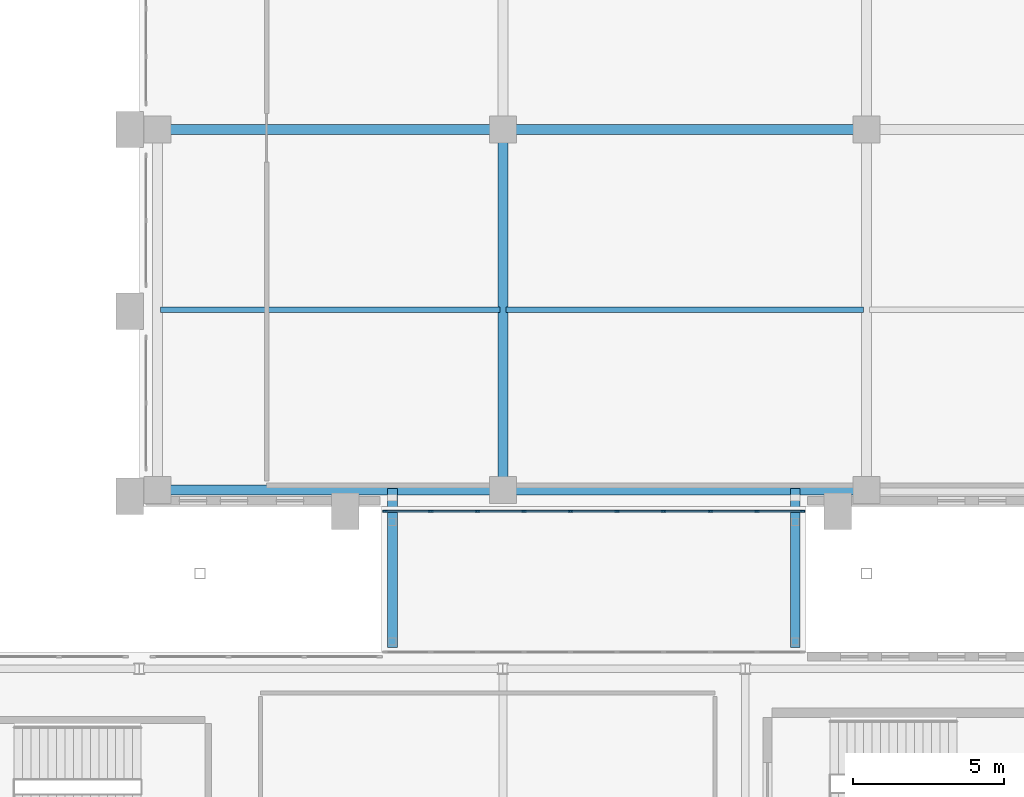
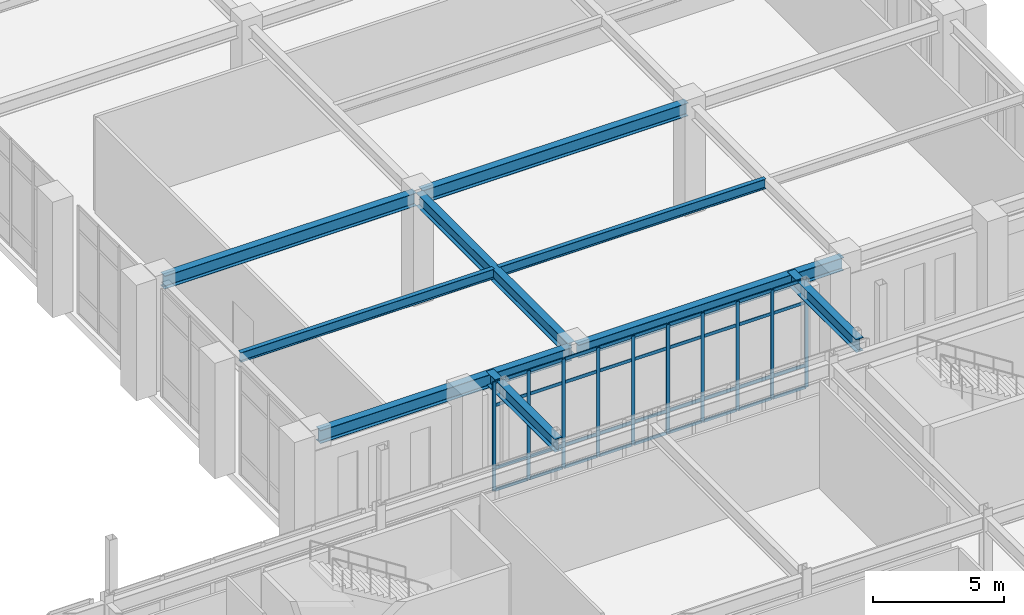
# One storey, part 78 of 159: 46 members, 9 beams, 1 element without a shape of its own.
"""IFC4 building model written with IfcOpenShell, lengths in metres."""

import ifcopenshell
import ifcopenshell.guid

model = None  # the IFC model being written
_history = None  # IfcOwnerHistory: only IFC2X3 demands one
_inside = {}  # id of a spatial element -> (the spatial element, [elements in it])
_under = {}  # id of a project, library or spatial element -> (it, [spatial elements below it])
_declared = {}  # id of a project -> (the project, [libraries it declares])
_typed = {}  # id of a type object -> (the type object, [elements of that type])
_made_of = {}  # id of a material, layer set ... -> (it, [elements and type objects made of it])


def new_model(schema):
    """Start an empty IFC model of exactly this schema.

    Asked for "IFC4X3", IfcOpenShell would pick the latest addendum, in which some entities
    have other attributes; the version numbers below select the first issue.
    IFC2X3 requires an IfcOwnerHistory on every rooted entity: one is made here for all.
    """
    global model, _history
    if schema == "IFC4X3":
        model = ifcopenshell.file(schema_version=(4, 3, 0, 0))
    else:
        model = ifcopenshell.file(schema=schema)
    _inside.clear()
    _under.clear()
    _declared.clear()
    _typed.clear()
    _made_of.clear()
    _history = None
    if model.schema == "IFC2X3":
        org = make("IfcOrganization", Name="unknown")
        user = make(
            "IfcPersonAndOrganization",
            ThePerson=make("IfcPerson", FamilyName="unknown"),
            TheOrganization=org,
        )
        app = make(
            "IfcApplication",
            ApplicationDeveloper=org,
            Version="unknown",
            ApplicationFullName="unknown",
            ApplicationIdentifier="unknown",
        )
        _history = make(
            "IfcOwnerHistory",
            OwningUser=user,
            OwningApplication=app,
            ChangeAction="ADDED",
            CreationDate=0,
        )
    return model


def make(cls, **values):
    """One entity of the class cls with the attributes given. An attribute that is None is left unset."""
    return model.create_entity(
        cls, **{name: value for name, value in values.items() if value is not None}
    )


def rooted(cls, **values):
    """An entity with a GlobalId (a new one), such as an element, a storey or a relation."""
    return make(cls, GlobalId=ifcopenshell.guid.new(), OwnerHistory=_history, **values)


def si_unit(unit_type, name, prefix=None):
    """IfcSIUnit, for example si_unit("LENGTHUNIT", "METRE", prefix="MILLI")."""
    return make("IfcSIUnit", UnitType=unit_type, Prefix=prefix, Name=name)


def derived_unit(unit_type, elements):
    """IfcDerivedUnit: a product of units, each with its exponent."""
    return make(
        "IfcDerivedUnit",
        Elements=[
            make("IfcDerivedUnitElement", Unit=unit, Exponent=power)
            for unit, power in elements
        ],
        UnitType=unit_type,
    )


def assignment(units):
    """IfcUnitAssignment: the units of a project."""
    return None if units is None else make("IfcUnitAssignment", Units=units)


def point(xyz):
    """IfcCartesianPoint."""
    return None if xyz is None else make("IfcCartesianPoint", Coordinates=xyz)


def direction(xyz):
    """IfcDirection."""
    return None if xyz is None else make("IfcDirection", DirectionRatios=xyz)


def frame(location, z_axis=None, x_axis=None):
    """IfcAxis2Placement3D, a coordinate frame: its origin and axes. An axis left out is left unset."""
    return make(
        "IfcAxis2Placement3D",
        Location=point(location),
        Axis=direction(z_axis),
        RefDirection=direction(x_axis),
    )


def frame_2d(location, x_axis=None):
    """IfcAxis2Placement2D, a coordinate frame in the plane: its origin and x axis."""
    return make(
        "IfcAxis2Placement2D", Location=point(location), RefDirection=direction(x_axis)
    )


def origin():
    """The frame at (0, 0, 0) with its axes left unset."""
    return frame((0.0, 0.0, 0.0))


def origin_2d():
    """The frame at (0, 0) in the plane with its x axis left unset."""
    return frame_2d((0.0, 0.0))


def place(relative_to, where):
    """IfcLocalPlacement: puts the frame where relative to a parent placement (None: the world)."""
    return make(
        "IfcLocalPlacement", PlacementRelTo=relative_to, RelativePlacement=where
    )


def context(
    kind, dimensions, precision=None, world=None, true_north=None, identifier=None
):
    """IfcGeometricRepresentationContext, for example the 3D "Model" context."""
    return make(
        "IfcGeometricRepresentationContext",
        ContextIdentifier=identifier,
        ContextType=kind,
        CoordinateSpaceDimension=dimensions,
        Precision=precision,
        WorldCoordinateSystem=world,
        TrueNorth=true_north,
    )


def subcontext(parent, identifier, kind, view, scale=None):
    """IfcGeometricRepresentationSubContext, for example "Body" below "Model"."""
    return make(
        "IfcGeometricRepresentationSubContext",
        ContextIdentifier=identifier,
        ContextType=kind,
        ParentContext=parent,
        TargetScale=scale,
        TargetView=view,
    )


def project(units=None, contexts=None):
    """IfcProject with its units and contexts."""
    return rooted(
        "IfcProject",
        Name="project",
        RepresentationContexts=contexts,
        UnitsInContext=assignment(units),
    )


def spatial(cls, under=None, at=None, **own):
    """A site, building, storey or space (cls), placed at a placement, below another one or the project."""
    s = rooted(cls, ObjectPlacement=at, **own)
    if under is not None:
        _under.setdefault(under.id(), (under, []))[1].append(s)
    return s


def profile(cls, at=None, kind="AREA", **sizes):
    """A parametric profile (cls). Its sizes go by their IFC names, for example OverallWidth=200.0."""
    return make(cls, ProfileType=kind, Position=at, **sizes)


def rectangle(**sizes):
    """IfcRectangleProfileDef."""
    return profile("IfcRectangleProfileDef", **sizes)


def i_section(**sizes):
    """IfcIShapeProfileDef."""
    return profile("IfcIShapeProfileDef", **sizes)


def extrude(swept, where, along, depth):
    """IfcExtrudedAreaSolid: the profile swept, set in the frame where, extruded along a direction by depth."""
    return make(
        "IfcExtrudedAreaSolid",
        SweptArea=swept,
        Position=where,
        ExtrudedDirection=direction(along),
        Depth=depth,
    )


def shape(context_of_items, identifier, shape_type, items):
    """IfcShapeRepresentation: the items that make up one representation, for example the "Body"."""
    return make(
        "IfcShapeRepresentation",
        ContextOfItems=context_of_items,
        RepresentationIdentifier=identifier,
        RepresentationType=shape_type,
        Items=items,
    )


def material(Name=None, Category=None):
    """IfcMaterial."""
    return make("IfcMaterial", Name=Name, Category=Category)


def layer(
    of_material, thickness, ventilated=None, Name=None, Category=None, Priority=None
):
    """IfcMaterialLayer: one layer of a wall or slab, of a material (None: an air gap)."""
    return make(
        "IfcMaterialLayer",
        Material=of_material,
        LayerThickness=thickness,
        IsVentilated=ventilated,
        Name=Name,
        Category=Category,
        Priority=Priority,
    )


def layer_set(layers, Name=None):
    """IfcMaterialLayerSet."""
    return make("IfcMaterialLayerSet", MaterialLayers=layers, LayerSetName=Name)


def material_profile(
    of_material, cross_section, Name=None, Category=None, Priority=None
):
    """IfcMaterialProfile: a cross section and its material."""
    return make(
        "IfcMaterialProfile",
        Name=Name,
        Material=of_material,
        Profile=cross_section,
        Priority=Priority,
        Category=Category,
    )


def profile_set(profiles, Name=None, composite=None):
    """IfcMaterialProfileSet."""
    return make(
        "IfcMaterialProfileSet",
        Name=Name,
        MaterialProfiles=profiles,
        CompositeProfile=composite,
    )


def made_of(thing, what):
    """Note that an element or type object is made of a material, layer set ...; save() writes the relation."""
    if what is not None:
        _made_of.setdefault(what.id(), (what, []))[1].append(thing)
    return thing


def type_object(cls, material=None, **own):
    """A type object (cls), such as IfcWallType, which elements share."""
    return made_of(rooted(cls, **own), material)


def element(
    cls,
    number,
    at=None,
    inside=None,
    cuts=None,
    type_object=None,
    material=None,
    context=None,
    identifier="Body",
    shape_type=None,
    held_by="IfcProductDefinitionShape",
    body=None,
    shapes=None,
    **own,
):
    """One element of the class cls, such as IfcWall. Its Tag is "e" and its number.

    at: its placement. inside: the storey or other place that contains it. cuts: it is an
    opening in that element (IfcRelVoidsElement). A single representation is given by context,
    identifier, shape_type and body (its items); several are given by shapes. held_by: the class
    of the entity that holds the representations. save() writes the other relations.
    """
    e = rooted(cls, Tag="e%d" % number, ObjectPlacement=at, **own)
    if body is not None:
        shapes = [shape(context, identifier, shape_type, body)]
    if shapes is not None:
        e.Representation = make(held_by, Representations=shapes)
    if inside is not None:
        _inside.setdefault(inside.id(), (inside, []))[1].append(e)
    if cuts is not None:
        rooted(
            "IfcRelVoidsElement", RelatingBuildingElement=cuts, RelatedOpeningElement=e
        )
    if type_object is not None:
        _typed.setdefault(type_object.id(), (type_object, []))[1].append(e)
    return made_of(e, material)


def aggregate(whole, parts):
    """IfcRelAggregates: a whole, such as a stair, and the parts it consists of."""
    return rooted("IfcRelAggregates", RelatingObject=whole, RelatedObjects=parts)


def save(model, path):
    """Write the relations noted so far, then the file.

    IfcRelAggregates (storeys below a building ...), IfcRelContainedInSpatialStructure (elements
    in a storey), IfcRelDefinesByType, IfcRelAssociatesMaterial and IfcRelDeclares: one each for
    every whole, place, type object, material and project.
    """
    for whole, parts in _under.values():
        aggregate(whole, parts)
    for where, things in _inside.values():
        rooted(
            "IfcRelContainedInSpatialStructure",
            RelatedElements=things,
            RelatingStructure=where,
        )
    for kind, things in _typed.values():
        rooted("IfcRelDefinesByType", RelatedObjects=things, RelatingType=kind)
    for what, things in _made_of.values():
        rooted("IfcRelAssociatesMaterial", RelatedObjects=things, RelatingMaterial=what)
    for by, libraries in _declared.values():
        rooted("IfcRelDeclares", RelatingContext=by, RelatedDefinitions=libraries)
    model.write(path)


model = new_model("IFC4")

# Units and contexts
model_context = context("Model", 3, precision=1e-05, world=origin(), true_north=direction((0.0, 1.0)))
body_context = subcontext(model_context, "Body", "Model", "MODEL_VIEW")
ifc_project = project(units=[si_unit("LENGTHUNIT", "METRE"), si_unit("AREAUNIT", "SQUARE_METRE"), si_unit("VOLUMEUNIT", "CUBIC_METRE"), si_unit("PLANEANGLEUNIT", "RADIAN"), si_unit("MASSUNIT", "GRAM", prefix="KILO"), derived_unit("THERMALTRANSMITTANCEUNIT", [(si_unit("MASSUNIT", "GRAM", prefix="KILO"), 1), (si_unit("TIMEUNIT", "SECOND"), -3), (si_unit("THERMODYNAMICTEMPERATUREUNIT", "KELVIN"), -1)])], contexts=[model_context])

# Site, building, storey
site_placement = place(None, origin())
site = spatial("IfcSite", under=ifc_project, at=site_placement, CompositionType="ELEMENT")
building_placement = place(site_placement, origin())
building = spatial("IfcBuilding", under=site, at=building_placement, Name="Valcora Ridge Arena", CompositionType="ELEMENT")
storey_placement = place(building_placement, frame((0.0, 0.0, 6.0)))
storey = spatial("IfcBuildingStorey", under=building, at=storey_placement, Name="L01", CompositionType="ELEMENT", Elevation=6.0)

# Beams
ifc_material_1 = material(Name="Steel ASTM A572 Grade 50", Category="steel")
ifc_material_profile_1 = material_profile(ifc_material_1, i_section(OverallWidth=0.324951171875, OverallDepth=0.612060546875, WebThickness=0.0126953125, FlangeThickness=0.01904296875, FilletRadius=0.01806640625, at=origin_2d()), Name="W24X104")
ifc_profile_set_1 = profile_set([ifc_material_profile_1], Name="Steel ASTM A572 Grade 50")
beam_type_1 = type_object("IfcBeamType", Name="TY-BEAM-B-SJ1", PredefinedType="BEAM", material=ifc_profile_set_1)
for number, where, z_axis, x_axis, name in (
    (1, (164.35009765625, 78.5, 4.77392578125), (0.0, 1.0, 0.0), (-1.0, 0.0, 0.0), "B-SJ1 BEM-SJ-B-SJ1-0007"),
    (2, (177.64990234375, 78.5, 4.77392578125), (0.0, 1.0, 0.0), (-1.0, 0.0, 0.0), "B-SJ1 BEM-SJ-B-SJ1-0008"),
):
    element("IfcBeam", number, at=place(storey_placement, frame(where, z_axis=z_axis, x_axis=x_axis)), inside=storey, type_object=beam_type_1, Name=name, PredefinedType="BEAM", context=body_context, shape_type="SweptSolid", body=[
        extrude(i_section(OverallWidth=0.324951171875, OverallDepth=0.612060546875, WebThickness=0.0126953125, FlangeThickness=0.01904296875, FilletRadius=0.01806640625, at=origin_2d()), origin(), (0.0, 0.0, 1.0), 5.25),
    ])
ifc_material_profile_2 = material_profile(ifc_material_1, i_section(OverallWidth=0.324951171875, OverallDepth=0.612060546875, WebThickness=0.0126953125, FlangeThickness=0.01904296875, FilletRadius=0.01806640625, at=origin_2d()), Name="W24X104")
ifc_profile_set_2 = profile_set([ifc_material_profile_2], Name="Steel ASTM A572 Grade 50")
beam_type_2 = type_object("IfcBeamType", Name="TY-BEAM-G-W24X104-X", PredefinedType="BEAM", material=ifc_profile_set_2)
beam_1_placement = place(storey_placement, frame((156.739990234375, 95.60009765625, 4.73388671875), z_axis=(1.0, 0.0, 0.0), x_axis=(0.0, 1.0, 0.0)))
element("IfcBeam", 3, at=beam_1_placement, inside=storey, type_object=beam_type_2, Name="G-W24X104-X BEM-G-W24X104-X-0032", PredefinedType="BEAM", context=body_context, shape_type="SweptSolid", body=[
    extrude(i_section(OverallWidth=0.324951171875, OverallDepth=0.612060546875, WebThickness=0.0126953125, FlangeThickness=0.01904296875, FilletRadius=0.01806640625, at=origin_2d()), origin(), (0.0, 0.0, 1.0), 11.1201171875),
])
beam_2_placement = place(storey_placement, frame((168.139892578125, 95.60009765625, 4.73388671875), z_axis=(1.0, 0.0, 0.0), x_axis=(0.0, 1.0, 0.0)))
element("IfcBeam", 4, at=beam_2_placement, inside=storey, type_object=beam_type_2, Name="G-W24X104-X BEM-G-W24X104-X-0033", PredefinedType="BEAM", context=body_context, shape_type="SweptSolid", body=[
    extrude(i_section(OverallWidth=0.324951171875, OverallDepth=0.612060546875, WebThickness=0.0126953125, FlangeThickness=0.01904296875, FilletRadius=0.01806640625, at=origin_2d()), origin(), (0.0, 0.0, 1.0), 11.72021484375),
])
ifc_material_profile_3 = material_profile(ifc_material_1, i_section(OverallWidth=0.324951171875, OverallDepth=0.612060546875, WebThickness=0.0126953125, FlangeThickness=0.01904296875, FilletRadius=0.01806640625, at=origin_2d()), Name="W24X104")
ifc_profile_set_3 = profile_set([ifc_material_profile_3], Name="Steel ASTM A572 Grade 50")
beam_type_3 = type_object("IfcBeamType", Name="TY-BEAM-G-W24X104-Y", PredefinedType="BEAM", material=ifc_profile_set_3)
beam_3_placement = place(storey_placement, frame((168.0, 83.840087890625, 4.73388671875), z_axis=(0.0, 1.0, 0.0), x_axis=(-1.0, 0.0, 0.0)))
element("IfcBeam", 5, at=beam_3_placement, inside=storey, type_object=beam_type_3, Name="G-W24X104-Y BEM-G-W24X104-Y-0061", PredefinedType="BEAM", context=body_context, shape_type="SweptSolid", body=[
    extrude(i_section(OverallWidth=0.324951171875, OverallDepth=0.612060546875, WebThickness=0.0126953125, FlangeThickness=0.01904296875, FilletRadius=0.01806640625, at=origin_2d()), origin(), (0.0, 0.0, 1.0), 11.619873046875),
])
ifc_material_profile_4 = material_profile(ifc_material_1, i_section(OverallWidth=0.18994140625, OverallDepth=0.45703125, WebThickness=0.009033203125, FlangeThickness=0.014404296875, FilletRadius=0.014892578125, at=origin_2d()), Name="W18X50")
ifc_profile_set_4 = profile_set([ifc_material_profile_4], Name="Steel ASTM A572 Grade 50")
beam_type_4 = type_object("IfcBeamType", Name="TY-BEAM-J-W18X50", PredefinedType="JOIST", material=ifc_profile_set_4)
beam_4_placement = place(storey_placement, frame((156.699951171875, 89.64990234375, 4.8115234375), z_axis=(1.0, 0.0, 0.0), x_axis=(0.0, 1.0, 0.0)))
element("IfcBeam", 6, at=beam_4_placement, inside=storey, type_object=beam_type_4, Name="J-W18X50 BEM-J-W18X50-0044", PredefinedType="JOIST", context=body_context, shape_type="SweptSolid", body=[
    extrude(i_section(OverallWidth=0.18994140625, OverallDepth=0.45703125, WebThickness=0.009033203125, FlangeThickness=0.014404296875, FilletRadius=0.014892578125, at=origin_2d()), origin(), (0.0, 0.0, 1.0), 11.199951171875),
])
beam_5_placement = place(storey_placement, frame((168.10009765625, 89.64990234375, 4.8115234375), z_axis=(1.0, 0.0, 0.0), x_axis=(0.0, 1.0, 0.0)))
element("IfcBeam", 7, at=beam_5_placement, inside=storey, type_object=beam_type_4, Name="J-W18X50 BEM-J-W18X50-0045", PredefinedType="JOIST", context=body_context, shape_type="SweptSolid", body=[
    extrude(i_section(OverallWidth=0.18994140625, OverallDepth=0.45703125, WebThickness=0.009033203125, FlangeThickness=0.014404296875, FilletRadius=0.014892578125, at=origin_2d()), origin(), (0.0, 0.0, 1.0), 11.7998046875),
])
ifc_material_profile_5 = material_profile(ifc_material_1, i_section(OverallWidth=0.324951171875, OverallDepth=0.612060546875, WebThickness=0.0126953125, FlangeThickness=0.01904296875, FilletRadius=0.01806640625, at=origin_2d()), Name="W24X104")
ifc_profile_set_5 = profile_set([ifc_material_profile_5], Name="Steel ASTM A572 Grade 50")
beam_type_5 = type_object("IfcBeamType", Name="TY-BEAM-SP-W24X104", PredefinedType="SPANDREL", material=ifc_profile_set_5)
beam_6_placement = place(storey_placement, frame((156.739990234375, 83.699951171875, 4.73388671875), z_axis=(1.0, 0.0, 0.0), x_axis=(0.0, 1.0, 0.0)))
element("IfcBeam", 8, at=beam_6_placement, inside=storey, type_object=beam_type_5, Name="SP-W24X104 BEM-SP-W24X104-0018", PredefinedType="SPANDREL", context=body_context, shape_type="SweptSolid", body=[
    extrude(i_section(OverallWidth=0.324951171875, OverallDepth=0.612060546875, WebThickness=0.0126953125, FlangeThickness=0.01904296875, FilletRadius=0.01806640625, at=origin_2d()), origin(), (0.0, 0.0, 1.0), 11.1201171875),
])
beam_7_placement = place(storey_placement, frame((168.139892578125, 83.699951171875, 4.73388671875), z_axis=(1.0, 0.0, 0.0), x_axis=(0.0, 1.0, 0.0)))
element("IfcBeam", 9, at=beam_7_placement, inside=storey, type_object=beam_type_5, Name="SP-W24X104 BEM-SP-W24X104-0019", PredefinedType="SPANDREL", context=body_context, shape_type="SweptSolid", body=[
    extrude(i_section(OverallWidth=0.324951171875, OverallDepth=0.612060546875, WebThickness=0.0126953125, FlangeThickness=0.01904296875, FilletRadius=0.01806640625, at=origin_2d()), origin(), (0.0, 0.0, 1.0), 11.72021484375),
])

# Curtain wall, members
ifc_material_2 = material(Name="Anodised dark bronze architectural aluminium 6063-T6", Category="aluminium")
ifc_layer = layer(ifc_material_2, 0.14990234375, Name="Anodised dark bronze architectural aluminium 6063-T6")
ifc_layer_set = layer_set([ifc_layer], Name="Anodised dark bronze architectural aluminium 6063-T6")
curtain_wall_type = type_object("IfcCurtainWallType", Name="TY-CURTAINWALL-CW-BRG-138X51", PredefinedType="NOTDEFINED", material=ifc_layer_set)
curtain_wall_placement = place(storey_placement, origin())
curtain_wall = element("IfcCurtainWall", 10, at=curtain_wall_placement, inside=storey, type_object=curtain_wall_type, Name="CW-BRG-138X51 CW-0357", PredefinedType="NOTDEFINED")
ifc_material_profile_6 = material_profile(ifc_material_2, rectangle(XDim=0.050048828125, YDim=0.14990234375, at=origin_2d()), Name="ALU MULLION 50x150")
ifc_profile_set_6 = profile_set([ifc_material_profile_6], Name="Anodised dark bronze architectural aluminium 6063-T6")
member_type_1 = type_object("IfcMemberType", Name="TY-MEM-CWM-50x150", PredefinedType="MULLION", material=ifc_profile_set_6)
member_1_placement = place(storey_placement, frame((164.10498046875, 83.0, 0.0), z_axis=(0.0, 0.0, 1.0), x_axis=(0.0, 1.0, 0.0)))
member_1 = element("IfcMember", 11, at=member_1_placement, type_object=member_type_1, Name="CW-0357/CWM-50x150/M00", PredefinedType="MULLION", context=body_context, shape_type="SweptSolid", body=[
    extrude(rectangle(XDim=0.050048828125, YDim=0.14990234375, at=origin_2d()), origin(), (0.0, 0.0, 1.0), 5.080078125),
])
member_2_placement = place(storey_placement, frame((165.617919921875, 83.0, 0.0), z_axis=(0.0, 0.0, 1.0), x_axis=(0.0, 1.0, 0.0)))
member_2 = element("IfcMember", 12, at=member_2_placement, type_object=member_type_1, Name="CW-0357/CWM-50x150/M01", PredefinedType="MULLION", context=body_context, shape_type="SweptSolid", body=[
    extrude(rectangle(XDim=0.050048828125, YDim=0.14990234375, at=origin_2d()), origin(), (0.0, 0.0, 1.0), 5.080078125),
])
member_3_placement = place(storey_placement, frame((167.155517578125, 83.0, 0.0), z_axis=(0.0, 0.0, 1.0), x_axis=(0.0, 1.0, 0.0)))
member_3 = element("IfcMember", 13, at=member_3_placement, type_object=member_type_1, Name="CW-0357/CWM-50x150/M02", PredefinedType="MULLION", context=body_context, shape_type="SweptSolid", body=[
    extrude(rectangle(XDim=0.050048828125, YDim=0.14990234375, at=origin_2d()), origin(), (0.0, 0.0, 1.0), 5.080078125),
])
member_4_placement = place(storey_placement, frame((168.693359375, 83.0, 0.0), z_axis=(0.0, 0.0, 1.0), x_axis=(0.0, 1.0, 0.0)))
member_4 = element("IfcMember", 14, at=member_4_placement, type_object=member_type_1, Name="CW-0357/CWM-50x150/M03", PredefinedType="MULLION", context=body_context, shape_type="SweptSolid", body=[
    extrude(rectangle(XDim=0.050048828125, YDim=0.14990234375, at=origin_2d()), origin(), (0.0, 0.0, 1.0), 5.080078125),
])
member_5_placement = place(storey_placement, frame((170.231201171875, 83.0, 0.0), z_axis=(0.0, 0.0, 1.0), x_axis=(0.0, 1.0, 0.0)))
member_5 = element("IfcMember", 15, at=member_5_placement, type_object=member_type_1, Name="CW-0357/CWM-50x150/M04", PredefinedType="MULLION", context=body_context, shape_type="SweptSolid", body=[
    extrude(rectangle(XDim=0.050048828125, YDim=0.14990234375, at=origin_2d()), origin(), (0.0, 0.0, 1.0), 5.080078125),
])
member_6_placement = place(storey_placement, frame((171.768798828125, 83.0, 0.0), z_axis=(0.0, 0.0, 1.0), x_axis=(0.0, 1.0, 0.0)))
member_6 = element("IfcMember", 16, at=member_6_placement, type_object=member_type_1, Name="CW-0357/CWM-50x150/M05", PredefinedType="MULLION", context=body_context, shape_type="SweptSolid", body=[
    extrude(rectangle(XDim=0.050048828125, YDim=0.14990234375, at=origin_2d()), origin(), (0.0, 0.0, 1.0), 5.080078125),
])
member_7_placement = place(storey_placement, frame((173.306640625, 83.0, 0.0), z_axis=(0.0, 0.0, 1.0), x_axis=(0.0, 1.0, 0.0)))
member_7 = element("IfcMember", 17, at=member_7_placement, type_object=member_type_1, Name="CW-0357/CWM-50x150/M06", PredefinedType="MULLION", context=body_context, shape_type="SweptSolid", body=[
    extrude(rectangle(XDim=0.050048828125, YDim=0.14990234375, at=origin_2d()), origin(), (0.0, 0.0, 1.0), 5.080078125),
])
member_8_placement = place(storey_placement, frame((174.844482421875, 83.0, 0.0), z_axis=(0.0, 0.0, 1.0), x_axis=(0.0, 1.0, 0.0)))
member_8 = element("IfcMember", 18, at=member_8_placement, type_object=member_type_1, Name="CW-0357/CWM-50x150/M07", PredefinedType="MULLION", context=body_context, shape_type="SweptSolid", body=[
    extrude(rectangle(XDim=0.050048828125, YDim=0.14990234375, at=origin_2d()), origin(), (0.0, 0.0, 1.0), 5.080078125),
])
member_9_placement = place(storey_placement, frame((176.382080078125, 83.0, 0.0), z_axis=(0.0, 0.0, 1.0), x_axis=(0.0, 1.0, 0.0)))
member_9 = element("IfcMember", 19, at=member_9_placement, type_object=member_type_1, Name="CW-0357/CWM-50x150/M08", PredefinedType="MULLION", context=body_context, shape_type="SweptSolid", body=[
    extrude(rectangle(XDim=0.050048828125, YDim=0.14990234375, at=origin_2d()), origin(), (0.0, 0.0, 1.0), 5.080078125),
])
member_10_placement = place(storey_placement, frame((177.89501953125, 83.0, 0.0), z_axis=(0.0, 0.0, 1.0), x_axis=(0.0, 1.0, 0.0)))
member_10 = element("IfcMember", 20, at=member_10_placement, type_object=member_type_1, Name="CW-0357/CWM-50x150/M09", PredefinedType="MULLION", context=body_context, shape_type="SweptSolid", body=[
    extrude(rectangle(XDim=0.050048828125, YDim=0.14990234375, at=origin_2d()), origin(), (0.0, 0.0, 1.0), 5.080078125),
])
ifc_material_profile_7 = material_profile(ifc_material_2, rectangle(XDim=0.050048828125, YDim=0.14990234375, at=origin_2d()), Name="ALU TRANSOM 50x150")
ifc_profile_set_7 = profile_set([ifc_material_profile_7], Name="Anodised dark bronze architectural aluminium 6063-T6")
member_type_2 = type_object("IfcMemberType", Name="TY-MEM-CWT-50x150", PredefinedType="USERDEFINED", material=ifc_profile_set_7)
member_11_placement = place(storey_placement, frame((164.1298828125, 83.0, 0.02490234375), z_axis=(1.0, 0.0, 0.0), x_axis=(0.0, 1.0, 0.0)))
member_11 = element("IfcMember", 21, at=member_11_placement, type_object=member_type_2, Name="CW-0357/CWT-50x150/T00-00", ObjectType="TRANSOM", PredefinedType="USERDEFINED", context=body_context, shape_type="SweptSolid", body=[
    extrude(rectangle(XDim=0.050048828125, YDim=0.14990234375, at=origin_2d()), origin(), (0.0, 0.0, 1.0), 1.463134765625),
])
member_12_placement = place(storey_placement, frame((164.1298828125, 83.0, 1.050048828125), z_axis=(1.0, 0.0, 0.0), x_axis=(0.0, 1.0, 0.0)))
member_12 = element("IfcMember", 22, at=member_12_placement, type_object=member_type_2, Name="CW-0357/CWT-50x150/T00-01", ObjectType="TRANSOM", PredefinedType="USERDEFINED", context=body_context, shape_type="SweptSolid", body=[
    extrude(rectangle(XDim=0.050048828125, YDim=0.14990234375, at=origin_2d()), origin(), (0.0, 0.0, 1.0), 1.463134765625),
])
member_13_placement = place(storey_placement, frame((164.1298828125, 83.0, 3.97998046875), z_axis=(1.0, 0.0, 0.0), x_axis=(0.0, 1.0, 0.0)))
member_13 = element("IfcMember", 23, at=member_13_placement, type_object=member_type_2, Name="CW-0357/CWT-50x150/T00-02", ObjectType="TRANSOM", PredefinedType="USERDEFINED", context=body_context, shape_type="SweptSolid", body=[
    extrude(rectangle(XDim=0.050048828125, YDim=0.14990234375, at=origin_2d()), origin(), (0.0, 0.0, 1.0), 1.463134765625),
])
member_14_placement = place(storey_placement, frame((164.1298828125, 83.0, 5.054931640625), z_axis=(1.0, 0.0, 0.0), x_axis=(0.0, 1.0, 0.0)))
member_14 = element("IfcMember", 24, at=member_14_placement, type_object=member_type_2, Name="CW-0357/CWT-50x150/T00-03", ObjectType="TRANSOM", PredefinedType="USERDEFINED", context=body_context, shape_type="SweptSolid", body=[
    extrude(rectangle(XDim=0.050048828125, YDim=0.14990234375, at=origin_2d()), origin(), (0.0, 0.0, 1.0), 1.463134765625),
])
member_15_placement = place(storey_placement, frame((165.64306640625, 83.0, 0.02490234375), z_axis=(1.0, 0.0, 0.0), x_axis=(0.0, 1.0, 0.0)))
member_15 = element("IfcMember", 25, at=member_15_placement, type_object=member_type_2, Name="CW-0357/CWT-50x150/T01-00", ObjectType="TRANSOM", PredefinedType="USERDEFINED", context=body_context, shape_type="SweptSolid", body=[
    extrude(rectangle(XDim=0.050048828125, YDim=0.14990234375, at=origin_2d()), origin(), (0.0, 0.0, 1.0), 1.488037109375),
])
member_16_placement = place(storey_placement, frame((165.64306640625, 83.0, 1.050048828125), z_axis=(1.0, 0.0, 0.0), x_axis=(0.0, 1.0, 0.0)))
member_16 = element("IfcMember", 26, at=member_16_placement, type_object=member_type_2, Name="CW-0357/CWT-50x150/T01-01", ObjectType="TRANSOM", PredefinedType="USERDEFINED", context=body_context, shape_type="SweptSolid", body=[
    extrude(rectangle(XDim=0.050048828125, YDim=0.14990234375, at=origin_2d()), origin(), (0.0, 0.0, 1.0), 1.488037109375),
])
member_17_placement = place(storey_placement, frame((165.64306640625, 83.0, 3.97998046875), z_axis=(1.0, 0.0, 0.0), x_axis=(0.0, 1.0, 0.0)))
member_17 = element("IfcMember", 27, at=member_17_placement, type_object=member_type_2, Name="CW-0357/CWT-50x150/T01-02", ObjectType="TRANSOM", PredefinedType="USERDEFINED", context=body_context, shape_type="SweptSolid", body=[
    extrude(rectangle(XDim=0.050048828125, YDim=0.14990234375, at=origin_2d()), origin(), (0.0, 0.0, 1.0), 1.488037109375),
])
member_18_placement = place(storey_placement, frame((165.64306640625, 83.0, 5.054931640625), z_axis=(1.0, 0.0, 0.0), x_axis=(0.0, 1.0, 0.0)))
member_18 = element("IfcMember", 28, at=member_18_placement, type_object=member_type_2, Name="CW-0357/CWT-50x150/T01-03", ObjectType="TRANSOM", PredefinedType="USERDEFINED", context=body_context, shape_type="SweptSolid", body=[
    extrude(rectangle(XDim=0.050048828125, YDim=0.14990234375, at=origin_2d()), origin(), (0.0, 0.0, 1.0), 1.488037109375),
])
member_19_placement = place(storey_placement, frame((167.180908203125, 83.0, 0.02490234375), z_axis=(1.0, 0.0, 0.0), x_axis=(0.0, 1.0, 0.0)))
member_19 = element("IfcMember", 29, at=member_19_placement, type_object=member_type_2, Name="CW-0357/CWT-50x150/T02-00", ObjectType="TRANSOM", PredefinedType="USERDEFINED", context=body_context, shape_type="SweptSolid", body=[
    extrude(rectangle(XDim=0.050048828125, YDim=0.14990234375, at=origin_2d()), origin(), (0.0, 0.0, 1.0), 1.487060546875),
])
member_20_placement = place(storey_placement, frame((167.180908203125, 83.0, 1.050048828125), z_axis=(1.0, 0.0, 0.0), x_axis=(0.0, 1.0, 0.0)))
member_20 = element("IfcMember", 30, at=member_20_placement, type_object=member_type_2, Name="CW-0357/CWT-50x150/T02-01", ObjectType="TRANSOM", PredefinedType="USERDEFINED", context=body_context, shape_type="SweptSolid", body=[
    extrude(rectangle(XDim=0.050048828125, YDim=0.14990234375, at=origin_2d()), origin(), (0.0, 0.0, 1.0), 1.487060546875),
])
member_21_placement = place(storey_placement, frame((167.180908203125, 83.0, 3.97998046875), z_axis=(1.0, 0.0, 0.0), x_axis=(0.0, 1.0, 0.0)))
member_21 = element("IfcMember", 31, at=member_21_placement, type_object=member_type_2, Name="CW-0357/CWT-50x150/T02-02", ObjectType="TRANSOM", PredefinedType="USERDEFINED", context=body_context, shape_type="SweptSolid", body=[
    extrude(rectangle(XDim=0.050048828125, YDim=0.14990234375, at=origin_2d()), origin(), (0.0, 0.0, 1.0), 1.487060546875),
])
member_22_placement = place(storey_placement, frame((167.180908203125, 83.0, 5.054931640625), z_axis=(1.0, 0.0, 0.0), x_axis=(0.0, 1.0, 0.0)))
member_22 = element("IfcMember", 32, at=member_22_placement, type_object=member_type_2, Name="CW-0357/CWT-50x150/T02-03", ObjectType="TRANSOM", PredefinedType="USERDEFINED", context=body_context, shape_type="SweptSolid", body=[
    extrude(rectangle(XDim=0.050048828125, YDim=0.14990234375, at=origin_2d()), origin(), (0.0, 0.0, 1.0), 1.487060546875),
])
member_23_placement = place(storey_placement, frame((168.718017578125, 83.0, 0.02490234375), z_axis=(1.0, 0.0, 0.0), x_axis=(0.0, 1.0, 0.0)))
member_23 = element("IfcMember", 33, at=member_23_placement, type_object=member_type_2, Name="CW-0357/CWT-50x150/T03-00", ObjectType="TRANSOM", PredefinedType="USERDEFINED", context=body_context, shape_type="SweptSolid", body=[
    extrude(rectangle(XDim=0.050048828125, YDim=0.14990234375, at=origin_2d()), origin(), (0.0, 0.0, 1.0), 1.488037109375),
])
member_24_placement = place(storey_placement, frame((168.718017578125, 83.0, 1.050048828125), z_axis=(1.0, 0.0, 0.0), x_axis=(0.0, 1.0, 0.0)))
member_24 = element("IfcMember", 34, at=member_24_placement, type_object=member_type_2, Name="CW-0357/CWT-50x150/T03-01", ObjectType="TRANSOM", PredefinedType="USERDEFINED", context=body_context, shape_type="SweptSolid", body=[
    extrude(rectangle(XDim=0.050048828125, YDim=0.14990234375, at=origin_2d()), origin(), (0.0, 0.0, 1.0), 1.488037109375),
])
member_25_placement = place(storey_placement, frame((168.718017578125, 83.0, 3.97998046875), z_axis=(1.0, 0.0, 0.0), x_axis=(0.0, 1.0, 0.0)))
member_25 = element("IfcMember", 35, at=member_25_placement, type_object=member_type_2, Name="CW-0357/CWT-50x150/T03-02", ObjectType="TRANSOM", PredefinedType="USERDEFINED", context=body_context, shape_type="SweptSolid", body=[
    extrude(rectangle(XDim=0.050048828125, YDim=0.14990234375, at=origin_2d()), origin(), (0.0, 0.0, 1.0), 1.488037109375),
])
member_26_placement = place(storey_placement, frame((168.718017578125, 83.0, 5.054931640625), z_axis=(1.0, 0.0, 0.0), x_axis=(0.0, 1.0, 0.0)))
member_26 = element("IfcMember", 36, at=member_26_placement, type_object=member_type_2, Name="CW-0357/CWT-50x150/T03-03", ObjectType="TRANSOM", PredefinedType="USERDEFINED", context=body_context, shape_type="SweptSolid", body=[
    extrude(rectangle(XDim=0.050048828125, YDim=0.14990234375, at=origin_2d()), origin(), (0.0, 0.0, 1.0), 1.488037109375),
])
member_27_placement = place(storey_placement, frame((170.256103515625, 83.0, 0.02490234375), z_axis=(1.0, 0.0, 0.0), x_axis=(0.0, 1.0, 0.0)))
member_27 = element("IfcMember", 37, at=member_27_placement, type_object=member_type_2, Name="CW-0357/CWT-50x150/T04-00", ObjectType="TRANSOM", PredefinedType="USERDEFINED", context=body_context, shape_type="SweptSolid", body=[
    extrude(rectangle(XDim=0.050048828125, YDim=0.14990234375, at=origin_2d()), origin(), (0.0, 0.0, 1.0), 1.48779296875),
])
member_28_placement = place(storey_placement, frame((170.256103515625, 83.0, 1.050048828125), z_axis=(1.0, 0.0, 0.0), x_axis=(0.0, 1.0, 0.0)))
member_28 = element("IfcMember", 38, at=member_28_placement, type_object=member_type_2, Name="CW-0357/CWT-50x150/T04-01", ObjectType="TRANSOM", PredefinedType="USERDEFINED", context=body_context, shape_type="SweptSolid", body=[
    extrude(rectangle(XDim=0.050048828125, YDim=0.14990234375, at=origin_2d()), origin(), (0.0, 0.0, 1.0), 1.48779296875),
])
member_29_placement = place(storey_placement, frame((170.256103515625, 83.0, 3.97998046875), z_axis=(1.0, 0.0, 0.0), x_axis=(0.0, 1.0, 0.0)))
member_29 = element("IfcMember", 39, at=member_29_placement, type_object=member_type_2, Name="CW-0357/CWT-50x150/T04-02", ObjectType="TRANSOM", PredefinedType="USERDEFINED", context=body_context, shape_type="SweptSolid", body=[
    extrude(rectangle(XDim=0.050048828125, YDim=0.14990234375, at=origin_2d()), origin(), (0.0, 0.0, 1.0), 1.48779296875),
])
member_30_placement = place(storey_placement, frame((170.256103515625, 83.0, 5.054931640625), z_axis=(1.0, 0.0, 0.0), x_axis=(0.0, 1.0, 0.0)))
member_30 = element("IfcMember", 40, at=member_30_placement, type_object=member_type_2, Name="CW-0357/CWT-50x150/T04-03", ObjectType="TRANSOM", PredefinedType="USERDEFINED", context=body_context, shape_type="SweptSolid", body=[
    extrude(rectangle(XDim=0.050048828125, YDim=0.14990234375, at=origin_2d()), origin(), (0.0, 0.0, 1.0), 1.48779296875),
])
member_31_placement = place(storey_placement, frame((171.7939453125, 83.0, 0.02490234375), z_axis=(1.0, 0.0, 0.0), x_axis=(0.0, 1.0, 0.0)))
member_31 = element("IfcMember", 41, at=member_31_placement, type_object=member_type_2, Name="CW-0357/CWT-50x150/T05-00", ObjectType="TRANSOM", PredefinedType="USERDEFINED", context=body_context, shape_type="SweptSolid", body=[
    extrude(rectangle(XDim=0.050048828125, YDim=0.14990234375, at=origin_2d()), origin(), (0.0, 0.0, 1.0), 1.488037109375),
])
member_32_placement = place(storey_placement, frame((171.7939453125, 83.0, 1.050048828125), z_axis=(1.0, 0.0, 0.0), x_axis=(0.0, 1.0, 0.0)))
member_32 = element("IfcMember", 42, at=member_32_placement, type_object=member_type_2, Name="CW-0357/CWT-50x150/T05-01", ObjectType="TRANSOM", PredefinedType="USERDEFINED", context=body_context, shape_type="SweptSolid", body=[
    extrude(rectangle(XDim=0.050048828125, YDim=0.14990234375, at=origin_2d()), origin(), (0.0, 0.0, 1.0), 1.488037109375),
])
member_33_placement = place(storey_placement, frame((171.7939453125, 83.0, 3.97998046875), z_axis=(1.0, 0.0, 0.0), x_axis=(0.0, 1.0, 0.0)))
member_33 = element("IfcMember", 43, at=member_33_placement, type_object=member_type_2, Name="CW-0357/CWT-50x150/T05-02", ObjectType="TRANSOM", PredefinedType="USERDEFINED", context=body_context, shape_type="SweptSolid", body=[
    extrude(rectangle(XDim=0.050048828125, YDim=0.14990234375, at=origin_2d()), origin(), (0.0, 0.0, 1.0), 1.488037109375),
])
member_34_placement = place(storey_placement, frame((171.7939453125, 83.0, 5.054931640625), z_axis=(1.0, 0.0, 0.0), x_axis=(0.0, 1.0, 0.0)))
member_34 = element("IfcMember", 44, at=member_34_placement, type_object=member_type_2, Name="CW-0357/CWT-50x150/T05-03", ObjectType="TRANSOM", PredefinedType="USERDEFINED", context=body_context, shape_type="SweptSolid", body=[
    extrude(rectangle(XDim=0.050048828125, YDim=0.14990234375, at=origin_2d()), origin(), (0.0, 0.0, 1.0), 1.488037109375),
])
member_35_placement = place(storey_placement, frame((173.33203125, 83.0, 0.02490234375), z_axis=(1.0, 0.0, 0.0), x_axis=(0.0, 1.0, 0.0)))
member_35 = element("IfcMember", 45, at=member_35_placement, type_object=member_type_2, Name="CW-0357/CWT-50x150/T06-00", ObjectType="TRANSOM", PredefinedType="USERDEFINED", context=body_context, shape_type="SweptSolid", body=[
    extrude(rectangle(XDim=0.050048828125, YDim=0.14990234375, at=origin_2d()), origin(), (0.0, 0.0, 1.0), 1.487060546875),
])
member_36_placement = place(storey_placement, frame((173.33203125, 83.0, 1.050048828125), z_axis=(1.0, 0.0, 0.0), x_axis=(0.0, 1.0, 0.0)))
member_36 = element("IfcMember", 46, at=member_36_placement, type_object=member_type_2, Name="CW-0357/CWT-50x150/T06-01", ObjectType="TRANSOM", PredefinedType="USERDEFINED", context=body_context, shape_type="SweptSolid", body=[
    extrude(rectangle(XDim=0.050048828125, YDim=0.14990234375, at=origin_2d()), origin(), (0.0, 0.0, 1.0), 1.487060546875),
])
member_37_placement = place(storey_placement, frame((173.33203125, 83.0, 3.97998046875), z_axis=(1.0, 0.0, 0.0), x_axis=(0.0, 1.0, 0.0)))
member_37 = element("IfcMember", 47, at=member_37_placement, type_object=member_type_2, Name="CW-0357/CWT-50x150/T06-02", ObjectType="TRANSOM", PredefinedType="USERDEFINED", context=body_context, shape_type="SweptSolid", body=[
    extrude(rectangle(XDim=0.050048828125, YDim=0.14990234375, at=origin_2d()), origin(), (0.0, 0.0, 1.0), 1.487060546875),
])
member_38_placement = place(storey_placement, frame((173.33203125, 83.0, 5.054931640625), z_axis=(1.0, 0.0, 0.0), x_axis=(0.0, 1.0, 0.0)))
member_38 = element("IfcMember", 48, at=member_38_placement, type_object=member_type_2, Name="CW-0357/CWT-50x150/T06-03", ObjectType="TRANSOM", PredefinedType="USERDEFINED", context=body_context, shape_type="SweptSolid", body=[
    extrude(rectangle(XDim=0.050048828125, YDim=0.14990234375, at=origin_2d()), origin(), (0.0, 0.0, 1.0), 1.487060546875),
])
member_39_placement = place(storey_placement, frame((174.868896484375, 83.0, 0.02490234375), z_axis=(1.0, 0.0, 0.0), x_axis=(0.0, 1.0, 0.0)))
member_39 = element("IfcMember", 49, at=member_39_placement, type_object=member_type_2, Name="CW-0357/CWT-50x150/T07-00", ObjectType="TRANSOM", PredefinedType="USERDEFINED", context=body_context, shape_type="SweptSolid", body=[
    extrude(rectangle(XDim=0.050048828125, YDim=0.14990234375, at=origin_2d()), origin(), (0.0, 0.0, 1.0), 1.488037109375),
])
member_40_placement = place(storey_placement, frame((174.868896484375, 83.0, 1.050048828125), z_axis=(1.0, 0.0, 0.0), x_axis=(0.0, 1.0, 0.0)))
member_40 = element("IfcMember", 50, at=member_40_placement, type_object=member_type_2, Name="CW-0357/CWT-50x150/T07-01", ObjectType="TRANSOM", PredefinedType="USERDEFINED", context=body_context, shape_type="SweptSolid", body=[
    extrude(rectangle(XDim=0.050048828125, YDim=0.14990234375, at=origin_2d()), origin(), (0.0, 0.0, 1.0), 1.488037109375),
])
member_41_placement = place(storey_placement, frame((174.868896484375, 83.0, 3.97998046875), z_axis=(1.0, 0.0, 0.0), x_axis=(0.0, 1.0, 0.0)))
member_41 = element("IfcMember", 51, at=member_41_placement, type_object=member_type_2, Name="CW-0357/CWT-50x150/T07-02", ObjectType="TRANSOM", PredefinedType="USERDEFINED", context=body_context, shape_type="SweptSolid", body=[
    extrude(rectangle(XDim=0.050048828125, YDim=0.14990234375, at=origin_2d()), origin(), (0.0, 0.0, 1.0), 1.488037109375),
])
member_42_placement = place(storey_placement, frame((174.868896484375, 83.0, 5.054931640625), z_axis=(1.0, 0.0, 0.0), x_axis=(0.0, 1.0, 0.0)))
member_42 = element("IfcMember", 52, at=member_42_placement, type_object=member_type_2, Name="CW-0357/CWT-50x150/T07-03", ObjectType="TRANSOM", PredefinedType="USERDEFINED", context=body_context, shape_type="SweptSolid", body=[
    extrude(rectangle(XDim=0.050048828125, YDim=0.14990234375, at=origin_2d()), origin(), (0.0, 0.0, 1.0), 1.488037109375),
])
member_43_placement = place(storey_placement, frame((176.406982421875, 83.0, 0.02490234375), z_axis=(1.0, 0.0, 0.0), x_axis=(0.0, 1.0, 0.0)))
member_43 = element("IfcMember", 53, at=member_43_placement, type_object=member_type_2, Name="CW-0357/CWT-50x150/T08-00", ObjectType="TRANSOM", PredefinedType="USERDEFINED", context=body_context, shape_type="SweptSolid", body=[
    extrude(rectangle(XDim=0.050048828125, YDim=0.14990234375, at=origin_2d()), origin(), (0.0, 0.0, 1.0), 1.463134765625),
])
member_44_placement = place(storey_placement, frame((176.406982421875, 83.0, 1.050048828125), z_axis=(1.0, 0.0, 0.0), x_axis=(0.0, 1.0, 0.0)))
member_44 = element("IfcMember", 54, at=member_44_placement, type_object=member_type_2, Name="CW-0357/CWT-50x150/T08-01", ObjectType="TRANSOM", PredefinedType="USERDEFINED", context=body_context, shape_type="SweptSolid", body=[
    extrude(rectangle(XDim=0.050048828125, YDim=0.14990234375, at=origin_2d()), origin(), (0.0, 0.0, 1.0), 1.463134765625),
])
member_45_placement = place(storey_placement, frame((176.406982421875, 83.0, 3.97998046875), z_axis=(1.0, 0.0, 0.0), x_axis=(0.0, 1.0, 0.0)))
member_45 = element("IfcMember", 55, at=member_45_placement, type_object=member_type_2, Name="CW-0357/CWT-50x150/T08-02", ObjectType="TRANSOM", PredefinedType="USERDEFINED", context=body_context, shape_type="SweptSolid", body=[
    extrude(rectangle(XDim=0.050048828125, YDim=0.14990234375, at=origin_2d()), origin(), (0.0, 0.0, 1.0), 1.463134765625),
])
member_46_placement = place(storey_placement, frame((176.406982421875, 83.0, 5.054931640625), z_axis=(1.0, 0.0, 0.0), x_axis=(0.0, 1.0, 0.0)))
member_46 = element("IfcMember", 56, at=member_46_placement, type_object=member_type_2, Name="CW-0357/CWT-50x150/T08-03", ObjectType="TRANSOM", PredefinedType="USERDEFINED", context=body_context, shape_type="SweptSolid", body=[
    extrude(rectangle(XDim=0.050048828125, YDim=0.14990234375, at=origin_2d()), origin(), (0.0, 0.0, 1.0), 1.463134765625),
])
aggregate(curtain_wall, [member_1, member_2, member_3, member_4, member_5, member_6, member_7, member_8, member_9, member_10, member_11, member_12, member_13, member_14, member_15, member_16, member_17, member_18, member_19, member_20, member_21, member_22, member_23, member_24, member_25, member_26, member_27, member_28, member_29, member_30, member_31, member_32, member_33, member_34, member_35, member_36, member_37, member_38, member_39, member_40, member_41, member_42, member_43, member_44, member_45, member_46])

save(model, "model.ifc")
